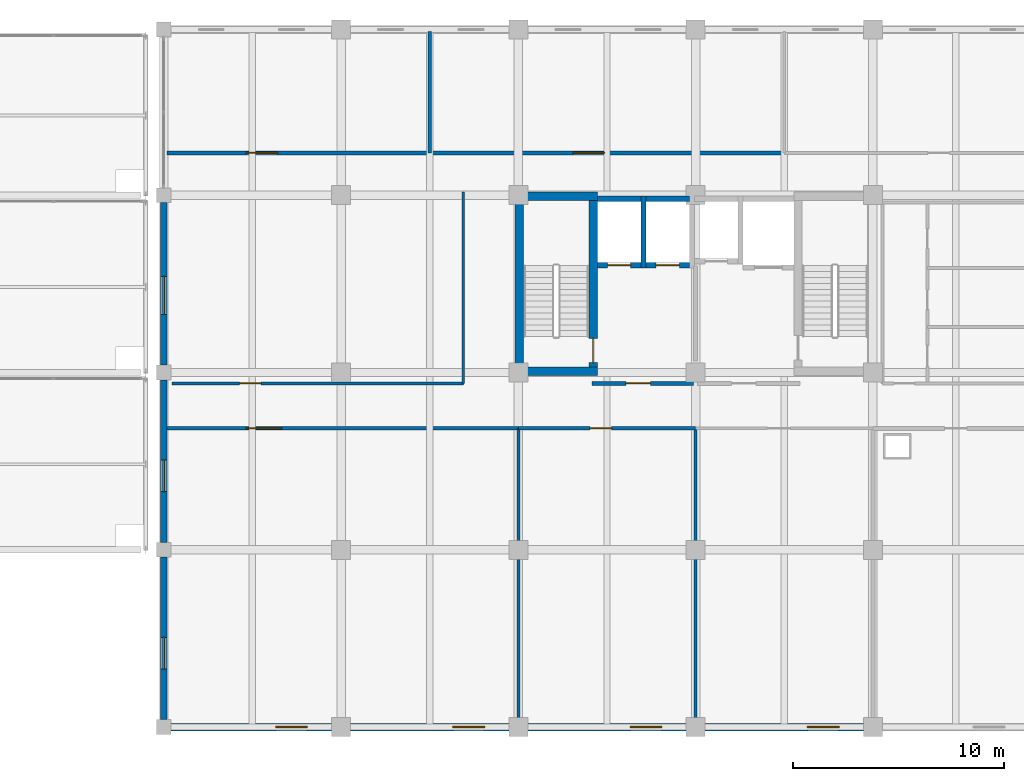
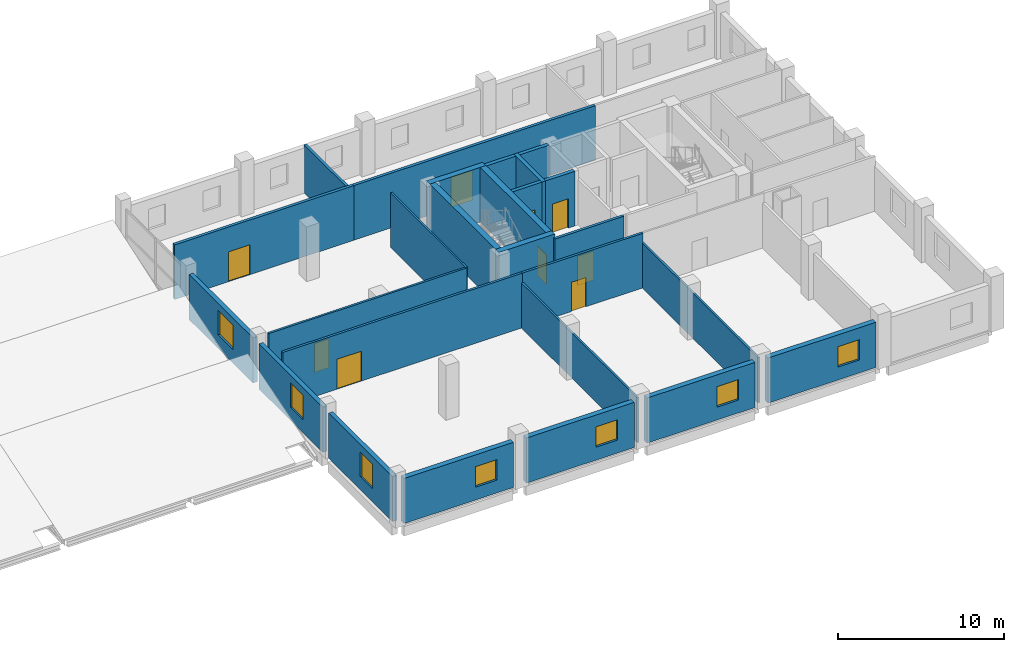
# One storey, part 37 of 40: 26 walls, 9 doors, 7 windows, 16 openings.
"""IFC4 building model written with IfcOpenShell, lengths in metres."""

from ifc_helpers import new_model, si_unit, direction, frame, frame_2d, origin, place, context, subcontext, project, spatial, rectangle, extrude, material, layer, layer_set, type_object, element, fill, save


model = new_model("IFC4")

# Units and contexts
model_context = context("Model", 3, precision=1e-05, world=origin(), true_north=direction((0.0, 1.0)))
body_context = subcontext(model_context, "Body", "Model", "MODEL_VIEW")
ifc_project = project(units=[si_unit("LENGTHUNIT", "METRE"), si_unit("AREAUNIT", "SQUARE_METRE"), si_unit("VOLUMEUNIT", "CUBIC_METRE"), si_unit("PLANEANGLEUNIT", "RADIAN"), si_unit("MASSUNIT", "GRAM", prefix="KILO")], contexts=[model_context])

# Site, building, storey
site_placement = place(None, origin())
site = spatial("IfcSite", under=ifc_project, at=site_placement, CompositionType="ELEMENT")
building_placement = place(site_placement, origin())
building = spatial("IfcBuilding", under=site, at=building_placement, Name="Brinegate Botanical Conservatory", CompositionType="ELEMENT")
storey_placement = place(building_placement, frame((0.0, 0.0, 19.199951171875)))
storey = spatial("IfcBuildingStorey", under=building, at=storey_placement, Name="L05", CompositionType="ELEMENT", Elevation=19.199951171875)

# Wall, opening, window
ifc_material_1 = material(Name="Insulated Minnan red clay brick masonry", Category="masonry")
ifc_layer_1 = layer(ifc_material_1, 0.300048828125, Name="Insulated Minnan red clay brick masonry", Category="masonry")
ifc_layer_set_1 = layer_set([ifc_layer_1], Name="Insulated Minnan red clay brick masonry")
wall_type_1 = type_object("IfcWallType", Name="Wall_EW-300B", PredefinedType="STANDARD", material=ifc_layer_set_1)
wall_1_placement = place(storey_placement, frame((122.0, 78.75, 0.0), z_axis=(0.0, 0.0, 1.0), x_axis=(0.0, 1.0, 0.0)))
wall_1 = element("IfcWall", 1, at=wall_1_placement, inside=storey, type_object=wall_type_1, Name="Tower west wall L05.S1", PredefinedType="STANDARD", context=body_context, shape_type="SweptSolid", body=[
    extrude(rectangle(XDim=7.699951171875, YDim=0.300048828125, at=frame_2d((3.85009765625, 0.0))), origin(), (0.0, 0.0, 1.0), 3.320068359375),
])
opening_1_placement = place(wall_1_placement, frame((2.39990234375, 0.0, 0.949951171875)))
opening_1 = element("IfcOpeningElement", 2, at=opening_1_placement, cuts=wall_1, Name="Opening WN-04", PredefinedType="OPENING", context=body_context, shape_type="SweptSolid", body=[
    extrude(rectangle(XDim=1.5, YDim=1.800048828125, at=frame_2d((0.75, 0.89990234375))), frame((0.0, 0.159912109375, 0.0), z_axis=(0.0, -1.0, 0.0), x_axis=(1.0, 0.0, 0.0)), (0.0, 0.0, 1.0), 0.320068359375),
])
ifc_material_2 = material(Name="Thermally broken aluminium-framed Low-E glass", Category="aluminium")
window_type_1 = type_object("IfcWindowType", Name="Win_WN-04", PartitioningType="DOUBLE_PANEL_VERTICAL", PredefinedType="WINDOW", material=ifc_material_2)
window_1_placement = place(opening_1_placement, origin())
window_1 = element("IfcWindow", 3, at=window_1_placement, inside=storey, type_object=window_type_1, Name="Tower west window L05.S1", OverallHeight=1.800048828125, OverallWidth=1.5, PartitioningType="DOUBLE_PANEL_VERTICAL", PredefinedType="WINDOW", context=body_context, shape_type="SweptSolid", body=[
    extrude(rectangle(XDim=1.5, YDim=1.800048828125, at=frame_2d((0.75, 0.89990234375))), frame((0.0, 0.030029296875, 0.0), z_axis=(0.0, -1.0, 0.0), x_axis=(1.0, 0.0, 0.0)), (0.0, 0.0, 1.0), 0.06005859375),
])
fill(opening_1, window_1)

wall_2_placement = place(storey_placement, frame((122.0, 87.14990234375, 0.0), z_axis=(0.0, 0.0, 1.0), x_axis=(0.0, 1.0, 0.0)))
wall_2 = element("IfcWall", 4, at=wall_2_placement, inside=storey, type_object=wall_type_1, Name="Tower west wall L05.S2", PredefinedType="STANDARD", context=body_context, shape_type="SweptSolid", body=[
    extrude(rectangle(XDim=7.7001953125, YDim=0.300048828125, at=frame_2d((3.85009765625, 0.0))), origin(), (0.0, 0.0, 1.0), 3.320068359375),
])
opening_2_placement = place(wall_2_placement, frame((2.39990234375, 0.0, 0.949951171875)))
opening_2 = element("IfcOpeningElement", 5, at=opening_2_placement, cuts=wall_2, Name="Opening WN-04", PredefinedType="OPENING", context=body_context, shape_type="SweptSolid", body=[
    extrude(rectangle(XDim=1.5, YDim=1.800048828125, at=frame_2d((0.75, 0.89990234375))), frame((0.0, 0.159912109375, 0.0), z_axis=(0.0, -1.0, 0.0), x_axis=(1.0, 0.0, 0.0)), (0.0, 0.0, 1.0), 0.320068359375),
])
window_2_placement = place(opening_2_placement, origin())
window_2 = element("IfcWindow", 6, at=window_2_placement, inside=storey, type_object=window_type_1, Name="Tower west window L05.S2", OverallHeight=1.800048828125, OverallWidth=1.5, PartitioningType="DOUBLE_PANEL_VERTICAL", PredefinedType="WINDOW", context=body_context, shape_type="SweptSolid", body=[
    extrude(rectangle(XDim=1.5, YDim=1.800048828125, at=frame_2d((0.75, 0.89990234375))), frame((0.0, 0.030029296875, 0.0), z_axis=(0.0, -1.0, 0.0), x_axis=(1.0, 0.0, 0.0)), (0.0, 0.0, 1.0), 0.06005859375),
])
fill(opening_2, window_2)

wall_3_placement = place(storey_placement, frame((122.0, 95.550048828125, 0.0), z_axis=(0.0, 0.0, 1.0), x_axis=(0.0, 1.0, 0.0)))
wall_3 = element("IfcWall", 7, at=wall_3_placement, inside=storey, type_object=wall_type_1, Name="Tower mid-west wall L05", PredefinedType="STANDARD", context=body_context, shape_type="SweptSolid", body=[
    extrude(rectangle(XDim=7.699951171875, YDim=0.300048828125, at=frame_2d((3.85009765625, 0.0))), origin(), (0.0, 0.0, 1.0), 3.320068359375),
])
opening_3_placement = place(wall_3_placement, frame((2.39990234375, 0.0, 1.0)))
opening_3 = element("IfcOpeningElement", 8, at=opening_3_placement, cuts=wall_3, Name="Opening WN-05", PredefinedType="OPENING", context=body_context, shape_type="SweptSolid", body=[
    extrude(rectangle(XDim=1.800048828125, YDim=1.800048828125, at=frame_2d((0.89990234375, 0.89990234375))), frame((0.0, 0.159912109375, 0.0), z_axis=(0.0, -1.0, 0.0), x_axis=(1.0, 0.0, 0.0)), (0.0, 0.0, 1.0), 0.320068359375),
])
window_type_2 = type_object("IfcWindowType", Name="Win_WN-05", PartitioningType="DOUBLE_PANEL_VERTICAL", PredefinedType="WINDOW", material=ifc_material_2)
window_3_placement = place(opening_3_placement, origin())
window_3 = element("IfcWindow", 9, at=window_3_placement, inside=storey, type_object=window_type_2, Name="Tower mid-west window L05", OverallHeight=1.800048828125, OverallWidth=1.800048828125, PartitioningType="DOUBLE_PANEL_VERTICAL", PredefinedType="WINDOW", context=body_context, shape_type="SweptSolid", body=[
    extrude(rectangle(XDim=1.800048828125, YDim=1.800048828125, at=frame_2d((0.89990234375, 0.89990234375))), frame((0.0, 0.030029296875, 0.0), z_axis=(0.0, -1.0, 0.0), x_axis=(1.0, 0.0, 0.0)), (0.0, 0.0, 1.0), 0.06005859375),
])
fill(opening_3, window_3)

ifc_layer_2 = layer(ifc_material_1, 0.360107421875, Name="Insulated Minnan red clay brick masonry", Category="masonry")
ifc_layer_set_2 = layer_set([ifc_layer_2], Name="Insulated Minnan red clay brick masonry")
wall_type_2 = type_object("IfcWallType", Name="Wall_EW-360B", PredefinedType="STANDARD", material=ifc_layer_set_2)
wall_4_placement = place(storey_placement, frame((129.949951171875, 78.39990234375, 0.0), z_axis=(0.0, 0.0, 1.0), x_axis=(-1.0, 0.0, 0.0)))
wall_4 = element("IfcWall", 10, at=wall_4_placement, inside=storey, type_object=wall_type_2, Name="Tower south facade wall L05.1", PredefinedType="STANDARD", context=body_context, shape_type="SweptSolid", body=[
    extrude(rectangle(XDim=7.599853515625, YDim=0.360107421875, at=frame_2d((3.7998046875, 0.0))), origin(), (0.0, 0.0, 1.0), 3.320068359375),
])
opening_4_placement = place(wall_4_placement, frame((1.14990234375, 0.0, 0.949951171875)))
opening_4 = element("IfcOpeningElement", 11, at=opening_4_placement, cuts=wall_4, Name="Opening WN-08", PredefinedType="OPENING", context=body_context, shape_type="SweptSolid", body=[
    extrude(rectangle(XDim=1.5, YDim=1.5, at=frame_2d((0.75, 0.75))), frame((0.0, 0.18994140625, 0.0), z_axis=(0.0, -1.0, 0.0), x_axis=(1.0, 0.0, 0.0)), (0.0, 0.0, 1.0), 0.380126953125),
])
window_type_3 = type_object("IfcWindowType", Name="Win_WN-08", PartitioningType="DOUBLE_PANEL_VERTICAL", PredefinedType="WINDOW", material=ifc_material_2)
window_4_placement = place(opening_4_placement, origin())
window_4 = element("IfcWindow", 12, at=window_4_placement, inside=storey, type_object=window_type_3, Name="Tower south window L05.1", OverallHeight=1.5, OverallWidth=1.5, PartitioningType="DOUBLE_PANEL_VERTICAL", PredefinedType="WINDOW", context=body_context, shape_type="SweptSolid", body=[
    extrude(rectangle(XDim=1.5, YDim=1.5, at=frame_2d((0.75, 0.75))), frame((0.0, 0.030029296875, 0.0), z_axis=(0.0, -1.0, 0.0), x_axis=(1.0, 0.0, 0.0)), (0.0, 0.0, 1.0), 0.06005859375),
])
fill(opening_4, window_4)

wall_5_placement = place(storey_placement, frame((138.35009765625, 78.39990234375, 0.0), z_axis=(0.0, 0.0, 1.0), x_axis=(-1.0, 0.0, 0.0)))
wall_5 = element("IfcWall", 13, at=wall_5_placement, inside=storey, type_object=wall_type_2, Name="Tower south facade wall L05.2", PredefinedType="STANDARD", context=body_context, shape_type="SweptSolid", body=[
    extrude(rectangle(XDim=7.5, YDim=0.360107421875, at=frame_2d((3.75, 0.0))), origin(), (0.0, 0.0, 1.0), 3.320068359375),
])
opening_5_placement = place(wall_5_placement, frame((1.14990234375, 0.0, 0.949951171875)))
opening_5 = element("IfcOpeningElement", 14, at=opening_5_placement, cuts=wall_5, Name="Opening WN-08", PredefinedType="OPENING", context=body_context, shape_type="SweptSolid", body=[
    extrude(rectangle(XDim=1.5, YDim=1.5, at=frame_2d((0.75, 0.75))), frame((0.0, 0.18994140625, 0.0), z_axis=(0.0, -1.0, 0.0), x_axis=(1.0, 0.0, 0.0)), (0.0, 0.0, 1.0), 0.380126953125),
])
window_5_placement = place(opening_5_placement, origin())
window_5 = element("IfcWindow", 15, at=window_5_placement, inside=storey, type_object=window_type_3, Name="Tower south window L05.2", OverallHeight=1.5, OverallWidth=1.5, PartitioningType="DOUBLE_PANEL_VERTICAL", PredefinedType="WINDOW", context=body_context, shape_type="SweptSolid", body=[
    extrude(rectangle(XDim=1.5, YDim=1.5, at=frame_2d((0.75, 0.75))), frame((0.0, 0.030029296875, 0.0), z_axis=(0.0, -1.0, 0.0), x_axis=(1.0, 0.0, 0.0)), (0.0, 0.0, 1.0), 0.06005859375),
])
fill(opening_5, window_5)

wall_6_placement = place(storey_placement, frame((146.75, 78.39990234375, 0.0), z_axis=(0.0, 0.0, 1.0), x_axis=(-1.0, 0.0, 0.0)))
wall_6 = element("IfcWall", 16, at=wall_6_placement, inside=storey, type_object=wall_type_2, Name="Tower south facade wall L05.3", PredefinedType="STANDARD", context=body_context, shape_type="SweptSolid", body=[
    extrude(rectangle(XDim=7.5, YDim=0.360107421875, at=frame_2d((3.75, 0.0))), origin(), (0.0, 0.0, 1.0), 3.320068359375),
])
opening_6_placement = place(wall_6_placement, frame((1.14990234375, 0.0, 0.949951171875)))
opening_6 = element("IfcOpeningElement", 17, at=opening_6_placement, cuts=wall_6, Name="Opening WN-08", PredefinedType="OPENING", context=body_context, shape_type="SweptSolid", body=[
    extrude(rectangle(XDim=1.5, YDim=1.5, at=frame_2d((0.75, 0.75))), frame((0.0, 0.18994140625, 0.0), z_axis=(0.0, -1.0, 0.0), x_axis=(1.0, 0.0, 0.0)), (0.0, 0.0, 1.0), 0.380126953125),
])
window_6_placement = place(opening_6_placement, origin())
window_6 = element("IfcWindow", 18, at=window_6_placement, inside=storey, type_object=window_type_3, Name="Tower south window L05.3", OverallHeight=1.5, OverallWidth=1.5, PartitioningType="DOUBLE_PANEL_VERTICAL", PredefinedType="WINDOW", context=body_context, shape_type="SweptSolid", body=[
    extrude(rectangle(XDim=1.5, YDim=1.5, at=frame_2d((0.75, 0.75))), frame((0.0, 0.030029296875, 0.0), z_axis=(0.0, -1.0, 0.0), x_axis=(1.0, 0.0, 0.0)), (0.0, 0.0, 1.0), 0.06005859375),
])
fill(opening_6, window_6)

wall_7_placement = place(storey_placement, frame((155.14990234375, 78.39990234375, 0.0), z_axis=(0.0, 0.0, 1.0), x_axis=(-1.0, 0.0, 0.0)))
wall_7 = element("IfcWall", 19, at=wall_7_placement, inside=storey, type_object=wall_type_2, Name="Tower south facade wall L05.4", PredefinedType="STANDARD", context=body_context, shape_type="SweptSolid", body=[
    extrude(rectangle(XDim=7.5, YDim=0.360107421875, at=frame_2d((3.75, 0.0))), origin(), (0.0, 0.0, 1.0), 3.320068359375),
])
opening_7_placement = place(wall_7_placement, frame((1.14990234375, 0.0, 0.949951171875)))
opening_7 = element("IfcOpeningElement", 20, at=opening_7_placement, cuts=wall_7, Name="Opening WN-08", PredefinedType="OPENING", context=body_context, shape_type="SweptSolid", body=[
    extrude(rectangle(XDim=1.5, YDim=1.5, at=frame_2d((0.75, 0.75))), frame((0.0, 0.18994140625, 0.0), z_axis=(0.0, -1.0, 0.0), x_axis=(1.0, 0.0, 0.0)), (0.0, 0.0, 1.0), 0.380126953125),
])
window_7_placement = place(opening_7_placement, origin())
window_7 = element("IfcWindow", 21, at=window_7_placement, inside=storey, type_object=window_type_3, Name="Tower south window L05.4", OverallHeight=1.5, OverallWidth=1.5, PartitioningType="DOUBLE_PANEL_VERTICAL", PredefinedType="WINDOW", context=body_context, shape_type="SweptSolid", body=[
    extrude(rectangle(XDim=1.5, YDim=1.5, at=frame_2d((0.75, 0.75))), frame((0.0, 0.030029296875, 0.0), z_axis=(0.0, -1.0, 0.0), x_axis=(1.0, 0.0, 0.0)), (0.0, 0.0, 1.0), 0.06005859375),
])
fill(opening_7, window_7)

# Walls
ifc_material_3 = material(Name="Gypsum-clad steel-stud partition", Category="steel")
ifc_layer_3 = layer(ifc_material_3, 0.1201171875, Name="Gypsum-clad steel-stud partition", Category="steel")
ifc_layer_set_3 = layer_set([ifc_layer_3], Name="Gypsum-clad steel-stud partition")
wall_type_3 = type_object("IfcWallType", Name="Wall_PW-120", PredefinedType="PARTITIONING", material=ifc_layer_set_3)
wall_8_placement = place(storey_placement, frame((136.199951171875, 94.679931640625, 0.0), z_axis=(0.0, 0.0, 1.0), x_axis=(0.0, 1.0, 0.0)))
element("IfcWall", 22, at=wall_8_placement, inside=storey, type_object=wall_type_3, Name="Interior partition P-L05-XCORR-W", PredefinedType="PARTITIONING", context=body_context, shape_type="SweptSolid", body=[
    extrude(rectangle(XDim=9.070068359375, YDim=0.1201171875, at=frame_2d((4.53515625, 0.0))), origin(), (0.0, 0.0, 1.0), 4.02001953125),
])
ifc_layer_4 = layer(ifc_material_3, 0.135009765625, Name="Gypsum-clad steel-stud partition", Category="steel")
ifc_layer_set_4 = layer_set([ifc_layer_4], Name="Gypsum-clad steel-stud partition")
wall_type_4 = type_object("IfcWallType", Name="Wall_PW-135", PredefinedType="PARTITIONING", material=ifc_layer_set_4)
for number, where, z_axis, x_axis, name in (
    (23, (138.800048828125, 78.550048828125, 0.0), (0.0, 0.0, 1.0), (0.0, 1.0, 0.0), "Interior partition P-L05-SDIV-S2"),
    (24, (147.199951171875, 78.550048828125, 0.0), (0.0, 0.0, 1.0), (0.0, 1.0, 0.0), "Interior partition P-L05-SDIV-S3"),
):
    element("IfcWall", number, at=place(storey_placement, frame(where, z_axis=z_axis, x_axis=x_axis)), inside=storey, type_object=wall_type_4, Name=name, PredefinedType="PARTITIONING", context=body_context, shape_type="SweptSolid", body=[
        extrude(rectangle(XDim=14.0, YDim=0.135009765625, at=frame_2d((7.0, 0.0))), origin(), (0.0, 0.0, 1.0), 3.320068359375),
    ])

# Wall, opening, door
ifc_material_4 = material(Name="Gypsum-clad acoustic steel-stud partition", Category="steel")
ifc_layer_5 = layer(ifc_material_4, 0.14501953125, Name="Gypsum-clad acoustic steel-stud partition", Category="steel")
ifc_layer_set_5 = layer_set([ifc_layer_5], Name="Gypsum-clad acoustic steel-stud partition")
wall_type_5 = type_object("IfcWallType", Name="Wall_PW-150", PredefinedType="PARTITIONING", material=ifc_layer_set_5)
wall_9_placement = place(storey_placement, frame((122.39990234375, 94.679931640625, 0.0), z_axis=(0.0, 0.0, 1.0), x_axis=(1.0, 0.0, 0.0)))
wall_9 = element("IfcWall", 25, at=wall_9_placement, inside=storey, type_object=wall_type_5, Name="Interior partition P-L05-MIDW-S", PredefinedType="PARTITIONING", context=body_context, shape_type="SweptSolid", body=[
    extrude(rectangle(XDim=13.800048828125, YDim=0.14501953125, at=frame_2d((6.89990234375, 0.0))), origin(), (0.0, 0.0, 1.0), 4.02001953125),
])
opening_8_placement = place(wall_9_placement, frame((3.199951171875, 0.0, 0.0)))
opening_8 = element("IfcOpeningElement", 26, at=opening_8_placement, cuts=wall_9, Name="Opening DR-02", PredefinedType="OPENING", context=body_context, shape_type="SweptSolid", body=[
    extrude(rectangle(XDim=1.02001953125, YDim=2.14990234375, at=frame_2d((0.510009765625, 1.074951171875))), frame((0.0, 0.08251953125, 0.0), z_axis=(0.0, -1.0, 0.0), x_axis=(1.0, 0.0, 0.0)), (0.0, 0.0, 1.0), 0.1650390625),
])
ifc_material_5 = material(Name="Phenolic-faced laboratory timber leaf", Category="wood")
door_type_1 = type_object("IfcDoorType", Name="Door_DR-02", OperationType="NOTDEFINED", PredefinedType="DOOR", material=ifc_material_5)
door_1_placement = place(opening_8_placement, origin())
door_1 = element("IfcDoor", 27, at=door_1_placement, inside=storey, type_object=door_type_1, Name="DR-P-L05-MIDW-S-1", OperationType="SINGLE_SWING_RIGHT", OverallHeight=2.14990234375, OverallWidth=1.02001953125, PredefinedType="DOOR", context=body_context, shape_type="SweptSolid", body=[
    extrude(rectangle(XDim=1.02001953125, YDim=2.14990234375, at=frame_2d((0.510009765625, 1.074951171875))), frame((0.0, 0.02490234375, 0.0), z_axis=(0.0, -1.0, 0.0), x_axis=(1.0, 0.0, 0.0)), (0.0, 0.0, 1.0), 0.050048828125),
])
fill(opening_8, door_1)

ifc_layer_6 = layer(ifc_material_4, 0.1650390625, Name="Gypsum-clad acoustic steel-stud partition", Category="steel")
ifc_layer_set_6 = layer_set([ifc_layer_6], Name="Gypsum-clad acoustic steel-stud partition")
wall_type_6 = type_object("IfcWallType", Name="Wall_PW-165", PredefinedType="PARTITIONING", material=ifc_layer_set_6)
wall_10_placement = place(storey_placement, frame((122.14990234375, 92.550048828125, 0.0), z_axis=(0.0, 0.0, 1.0), x_axis=(1.0, 0.0, 0.0)))
wall_10 = element("IfcWall", 28, at=wall_10_placement, inside=storey, type_object=wall_type_6, Name="Interior partition P-L05-SB-S1", PredefinedType="PARTITIONING", context=body_context, shape_type="SweptSolid", body=[
    extrude(rectangle(XDim=16.650146484375, YDim=0.1650390625, at=frame_2d((8.3251953125, 0.0))), origin(), (0.0, 0.0, 1.0), 4.02001953125),
])
opening_9_placement = place(wall_10_placement, frame((3.75, 0.0, 0.0)))
opening_9 = element("IfcOpeningElement", 29, at=opening_9_placement, cuts=wall_10, Name="Opening DR-DBL2", PredefinedType="OPENING", context=body_context, shape_type="SweptSolid", body=[
    extrude(rectangle(XDim=1.699951171875, YDim=2.199951171875, at=frame_2d((0.85009765625, 1.10009765625))), frame((0.0, 0.092529296875, 0.0), z_axis=(0.0, -1.0, 0.0), x_axis=(1.0, 0.0, 0.0)), (0.0, 0.0, 1.0), 0.18505859375),
])
ifc_material_6 = material(Name="Powder-coated steel laboratory double door", Category="steel")
door_type_2 = type_object("IfcDoorType", Name="Door_DR-DBL2", OperationType="NOTDEFINED", PredefinedType="DOOR", material=ifc_material_6)
door_2_placement = place(opening_9_placement, origin())
door_2 = element("IfcDoor", 30, at=door_2_placement, inside=storey, type_object=door_type_2, Name="DR-P-L05-SB-S1-1", OperationType="SINGLE_SWING_RIGHT", OverallHeight=2.199951171875, OverallWidth=1.699951171875, PredefinedType="DOOR", context=body_context, shape_type="SweptSolid", body=[
    extrude(rectangle(XDim=1.699951171875, YDim=2.199951171875, at=frame_2d((0.85009765625, 1.10009765625))), frame((0.0, 0.02490234375, 0.0), z_axis=(0.0, -1.0, 0.0), x_axis=(1.0, 0.0, 0.0)), (0.0, 0.0, 1.0), 0.050048828125),
])
fill(opening_9, door_2)

wall_11_placement = place(storey_placement, frame((138.800048828125, 92.550048828125, 0.0), z_axis=(0.0, 0.0, 1.0), x_axis=(1.0, 0.0, 0.0)))
wall_11 = element("IfcWall", 31, at=wall_11_placement, inside=storey, type_object=wall_type_6, Name="Interior partition P-L05-SB-S2", PredefinedType="PARTITIONING", context=body_context, shape_type="SweptSolid", body=[
    extrude(rectangle(XDim=8.39990234375, YDim=0.1650390625, at=frame_2d((4.199951171875, 0.0))), origin(), (0.0, 0.0, 1.0), 4.02001953125),
])
opening_10_placement = place(wall_11_placement, frame((3.39990234375, 0.0, 0.0)))
opening_10 = element("IfcOpeningElement", 32, at=opening_10_placement, cuts=wall_11, Name="Opening DR-02", PredefinedType="OPENING", context=body_context, shape_type="SweptSolid", body=[
    extrude(rectangle(XDim=1.02001953125, YDim=2.14990234375, at=frame_2d((0.510009765625, 1.074951171875))), frame((0.0, 0.092529296875, 0.0), z_axis=(0.0, -1.0, 0.0), x_axis=(1.0, 0.0, 0.0)), (0.0, 0.0, 1.0), 0.18505859375),
])
door_3_placement = place(opening_10_placement, origin())
door_3 = element("IfcDoor", 33, at=door_3_placement, inside=storey, type_object=door_type_1, Name="DR-P-L05-SB-S2-1", OperationType="SINGLE_SWING_LEFT", OverallHeight=2.14990234375, OverallWidth=1.02001953125, PredefinedType="DOOR", context=body_context, shape_type="SweptSolid", body=[
    extrude(rectangle(XDim=1.02001953125, YDim=2.14990234375, at=frame_2d((0.510009765625, 1.074951171875))), frame((0.0, 0.02490234375, 0.0), z_axis=(0.0, -1.0, 0.0), x_axis=(1.0, 0.0, 0.0)), (0.0, 0.0, 1.0), 0.050048828125),
])
fill(opening_10, door_3)

ifc_material_7 = material(Name="Autoclaved aerated concrete C40/50 blockwork", Category="masonry")
ifc_layer_7 = layer(ifc_material_7, 0.179931640625, Name="Autoclaved aerated concrete C40/50 blockwork", Category="masonry")
ifc_layer_set_7 = layer_set([ifc_layer_7], Name="Autoclaved aerated concrete C40/50 blockwork")
wall_type_7 = type_object("IfcWallType", Name="Wall_PW-180F", PredefinedType="STANDARD", material=ifc_layer_set_7)
wall_12_placement = place(storey_placement, frame((142.300048828125, 94.679931640625, 0.0), z_axis=(0.0, 0.0, 1.0), x_axis=(1.0, 0.0, 0.0)))
wall_12 = element("IfcWall", 34, at=wall_12_placement, inside=storey, type_object=wall_type_7, Name="Interior partition P-L05-CORE-FF", PredefinedType="STANDARD", context=body_context, shape_type="SweptSolid", body=[
    extrude(rectangle(XDim=4.800048828125, YDim=0.179931640625, at=frame_2d((2.39990234375, 0.0))), origin(), (0.0, 0.0, 1.0), 4.02001953125),
])
opening_11_placement = place(wall_12_placement, frame((1.60009765625, 0.0, 0.0)))
opening_11 = element("IfcOpeningElement", 35, at=opening_11_placement, cuts=wall_12, Name="Opening FD-B1", PredefinedType="OPENING", context=body_context, shape_type="SweptSolid", body=[
    extrude(rectangle(XDim=1.14990234375, YDim=2.14990234375, at=frame_2d((0.574951171875, 1.074951171875))), frame((0.0, 0.099853515625, 0.0), z_axis=(0.0, -1.0, 0.0), x_axis=(1.0, 0.0, 0.0)), (0.0, 0.0, 1.0), 0.199951171875),
])
ifc_material_8 = material(Name="Steel smoke-proof fire door assembly", Category="steel")
door_type_3 = type_object("IfcDoorType", Name="Door_FD-B1", OperationType="NOTDEFINED", PredefinedType="DOOR", material=ifc_material_8)
door_4_placement = place(opening_11_placement, origin())
door_4 = element("IfcDoor", 36, at=door_4_placement, inside=storey, type_object=door_type_3, Name="DR-P-L05-CORE-FF-1", OperationType="SINGLE_SWING_LEFT", OverallHeight=2.14990234375, OverallWidth=1.14990234375, PredefinedType="DOOR", context=body_context, shape_type="SweptSolid", body=[
    extrude(rectangle(XDim=1.14990234375, YDim=2.14990234375, at=frame_2d((0.574951171875, 1.074951171875))), frame((0.0, 0.02490234375, 0.0), z_axis=(0.0, -1.0, 0.0), x_axis=(1.0, 0.0, 0.0)), (0.0, 0.0, 1.0), 0.050048828125),
])
fill(opening_11, door_4)

# Wall
wall_13_placement = place(storey_placement, frame((134.60009765625, 105.60009765625, 0.0), z_axis=(0.0, 0.0, 1.0), x_axis=(0.0, 1.0, 0.0)))
element("IfcWall", 37, at=wall_13_placement, inside=storey, type_object=wall_type_7, Name="Interior partition P-L05-NDIV-N2", PredefinedType="STANDARD", context=body_context, shape_type="SweptSolid", body=[
    extrude(rectangle(XDim=5.75, YDim=0.179931640625, at=frame_2d((2.875, 0.0))), origin(), (0.0, 0.0, 1.0), 3.52001953125),
])

# Wall, opening, door
ifc_layer_8 = layer(ifc_material_7, 0.199951171875, Name="Autoclaved aerated concrete C40/50 blockwork", Category="masonry")
ifc_layer_set_8 = layer_set([ifc_layer_8], Name="Autoclaved aerated concrete C40/50 blockwork")
wall_type_8 = type_object("IfcWallType", Name="Wall_PW-200F", PredefinedType="SOLIDWALL", material=ifc_layer_set_8)
wall_14_placement = place(storey_placement, frame((122.14990234375, 105.60009765625, 0.0), z_axis=(0.0, 0.0, 1.0), x_axis=(1.0, 0.0, 0.0)))
wall_14 = element("IfcWall", 38, at=wall_14_placement, inside=storey, type_object=wall_type_8, Name="Interior partition P-L05-NB-N1", PredefinedType="SOLIDWALL", context=body_context, shape_type="SweptSolid", body=[
    extrude(rectangle(XDim=12.4501953125, YDim=0.199951171875, at=frame_2d((6.22509765625, 0.0))), origin(), (0.0, 0.0, 1.0), 4.02001953125),
])
opening_12_placement = place(wall_14_placement, frame((3.75, 0.0, 0.0)))
opening_12 = element("IfcOpeningElement", 39, at=opening_12_placement, cuts=wall_14, Name="Opening FD-A2", PredefinedType="OPENING", context=body_context, shape_type="SweptSolid", body=[
    extrude(rectangle(XDim=1.5, YDim=2.199951171875, at=frame_2d((0.75, 1.10009765625))), frame((0.0, 0.10986328125, 0.0), z_axis=(0.0, -1.0, 0.0), x_axis=(1.0, 0.0, 0.0)), (0.0, 0.0, 1.0), 0.219970703125),
])
ifc_material_9 = material(Name="Steel fire-rated double-leaf assembly", Category="steel")
door_type_4 = type_object("IfcDoorType", Name="Door_FD-A2", OperationType="NOTDEFINED", PredefinedType="DOOR", material=ifc_material_9)
door_5_placement = place(opening_12_placement, origin())
door_5 = element("IfcDoor", 40, at=door_5_placement, inside=storey, type_object=door_type_4, Name="DR-P-L05-NB-N1-1", OperationType="SINGLE_SWING_LEFT", OverallHeight=2.199951171875, OverallWidth=1.5, PredefinedType="DOOR", context=body_context, shape_type="SweptSolid", body=[
    extrude(rectangle(XDim=1.5, YDim=2.199951171875, at=frame_2d((0.75, 1.10009765625))), frame((0.0, 0.02490234375, 0.0), z_axis=(0.0, -1.0, 0.0), x_axis=(1.0, 0.0, 0.0)), (0.0, 0.0, 1.0), 0.050048828125),
])
fill(opening_12, door_5)

wall_15_placement = place(storey_placement, frame((134.60009765625, 105.60009765625, 0.0), z_axis=(0.0, 0.0, 1.0), x_axis=(1.0, 0.0, 0.0)))
wall_15 = element("IfcWall", 41, at=wall_15_placement, inside=storey, type_object=wall_type_8, Name="Interior partition P-L05-NB-N2", PredefinedType="SOLIDWALL", context=body_context, shape_type="SweptSolid", body=[
    extrude(rectangle(XDim=16.7998046875, YDim=0.199951171875, at=frame_2d((8.39990234375, 0.0))), origin(), (0.0, 0.0, 1.0), 4.02001953125),
])
opening_13_placement = place(wall_15_placement, frame((6.800048828125, 0.0, 0.0)))
opening_13 = element("IfcOpeningElement", 42, at=opening_13_placement, cuts=wall_15, Name="Opening FD-A2", PredefinedType="OPENING", context=body_context, shape_type="SweptSolid", body=[
    extrude(rectangle(XDim=1.5, YDim=2.199951171875, at=frame_2d((0.75, 1.10009765625))), frame((0.0, 0.10986328125, 0.0), z_axis=(0.0, -1.0, 0.0), x_axis=(1.0, 0.0, 0.0)), (0.0, 0.0, 1.0), 0.219970703125),
])
door_6_placement = place(opening_13_placement, origin())
door_6 = element("IfcDoor", 43, at=door_6_placement, inside=storey, type_object=door_type_4, Name="DR-P-L05-NB-N2-1", OperationType="SINGLE_SWING_RIGHT", OverallHeight=2.199951171875, OverallWidth=1.5, PredefinedType="DOOR", context=body_context, shape_type="SweptSolid", body=[
    extrude(rectangle(XDim=1.5, YDim=2.199951171875, at=frame_2d((0.75, 1.10009765625))), frame((0.0, 0.02490234375, 0.0), z_axis=(0.0, -1.0, 0.0), x_axis=(1.0, 0.0, 0.0)), (0.0, 0.0, 1.0), 0.050048828125),
])
fill(opening_13, door_6)

ifc_material_10 = material(Name="Concrete C40/50", Category="concrete")
ifc_layer_9 = layer(ifc_material_10, 0.25, Name="Concrete C40/50", Category="concrete")
ifc_layer_set_9 = layer_set([ifc_layer_9], Name="Concrete C40/50")
wall_type_9 = type_object("IfcWallType", Name="Wall_SW-250", PredefinedType="SHEAR", material=ifc_layer_set_9)
wall_16_placement = place(storey_placement, frame((142.550048828125, 100.27490234375, 0.0), z_axis=(0.0, 0.0, 1.0), x_axis=(1.0, 0.0, 0.0)))
wall_16 = element("IfcWall", 44, at=wall_16_placement, inside=storey, type_object=wall_type_9, Name="Lift shaft LF1 shear wall L05 S", PredefinedType="SHEAR", context=body_context, shape_type="SweptSolid", body=[
    extrude(rectangle(XDim=2.050048828125, YDim=0.25, at=frame_2d((1.02490234375, 0.0))), origin(), (0.0, 0.0, 1.0), 4.02001953125),
])
opening_14_placement = place(wall_16_placement, frame((0.47509765625, 0.0, 0.0)))
opening_14 = element("IfcOpeningElement", 45, at=opening_14_placement, cuts=wall_16, Name="Opening LD-01", PredefinedType="OPENING", context=body_context, shape_type="SweptSolid", body=[
    extrude(rectangle(XDim=1.10009765625, YDim=2.14990234375, at=frame_2d((0.550048828125, 1.074951171875))), frame((0.0, 0.135009765625, 0.0), z_axis=(0.0, -1.0, 0.0), x_axis=(1.0, 0.0, 0.0)), (0.0, 0.0, 1.0), 0.27001953125),
])
ifc_material_11 = material(Name="Brushed stainless steel S355 landing door", Category="steel")
door_type_5 = type_object("IfcDoorType", Name="Door_LD-01", OperationType="SLIDING_TO_LEFT", PredefinedType="DOOR", material=ifc_material_11)
door_7_placement = place(opening_14_placement, origin())
door_7 = element("IfcDoor", 46, at=door_7_placement, inside=storey, type_object=door_type_5, Name="LD-LF1-L05", OperationType="SLIDING_TO_LEFT", OverallHeight=2.14990234375, OverallWidth=1.10009765625, PredefinedType="DOOR", context=body_context, shape_type="SweptSolid", body=[
    extrude(rectangle(XDim=1.10009765625, YDim=2.14990234375, at=frame_2d((0.550048828125, 1.074951171875))), frame((0.0, 0.02490234375, 0.0), z_axis=(0.0, -1.0, 0.0), x_axis=(1.0, 0.0, 0.0)), (0.0, 0.0, 1.0), 0.050048828125),
])
fill(opening_14, door_7)

# Walls
wall_17_placement = place(storey_placement, frame((142.550048828125, 103.425048828125, 0.0), z_axis=(0.0, 0.0, 1.0), x_axis=(1.0, 0.0, 0.0)))
element("IfcWall", 47, at=wall_17_placement, inside=storey, type_object=wall_type_9, Name="Lift shaft LF1 shear wall L05 N", PredefinedType="SHEAR", context=body_context, shape_type="SweptSolid", body=[
    extrude(rectangle(XDim=2.050048828125, YDim=0.25, at=frame_2d((1.02490234375, 0.0))), origin(), (0.0, 0.0, 1.0), 4.02001953125),
])
wall_18_placement = place(storey_placement, frame((144.72509765625, 100.14990234375, 0.0), z_axis=(0.0, 0.0, 1.0), x_axis=(0.0, 1.0, 0.0)))
element("IfcWall", 48, at=wall_18_placement, inside=storey, type_object=wall_type_9, Name="Lift shaft LF1 shear wall L05 E", PredefinedType="SHEAR", context=body_context, shape_type="SweptSolid", body=[
    extrude(rectangle(XDim=3.400146484375, YDim=0.25, at=frame_2d((1.7001953125, 0.0))), origin(), (0.0, 0.0, 1.0), 4.02001953125),
])

# Wall, opening, door
wall_19_placement = place(storey_placement, frame((144.85009765625, 100.27490234375, 0.0), z_axis=(0.0, 0.0, 1.0), x_axis=(1.0, 0.0, 0.0)))
wall_19 = element("IfcWall", 49, at=wall_19_placement, inside=storey, type_object=wall_type_9, Name="Lift shaft LF2 shear wall L05 S", PredefinedType="SHEAR", context=body_context, shape_type="SweptSolid", body=[
    extrude(rectangle(XDim=2.0498046875, YDim=0.25, at=frame_2d((1.02490234375, 0.0))), origin(), (0.0, 0.0, 1.0), 4.02001953125),
])
opening_15_placement = place(wall_19_placement, frame((0.465087890625, 0.0, 0.0)))
opening_15 = element("IfcOpeningElement", 50, at=opening_15_placement, cuts=wall_19, Name="Opening LD-02", PredefinedType="OPENING", context=body_context, shape_type="SweptSolid", body=[
    extrude(rectangle(XDim=1.1201171875, YDim=2.14990234375, at=frame_2d((0.56005859375, 1.074951171875))), frame((0.0, 0.135009765625, 0.0), z_axis=(0.0, -1.0, 0.0), x_axis=(1.0, 0.0, 0.0)), (0.0, 0.0, 1.0), 0.27001953125),
])
door_type_6 = type_object("IfcDoorType", Name="Door_LD-02", OperationType="SLIDING_TO_LEFT", PredefinedType="DOOR", material=ifc_material_11)
door_8_placement = place(opening_15_placement, origin())
door_8 = element("IfcDoor", 51, at=door_8_placement, inside=storey, type_object=door_type_6, Name="LD-LF2-L05", OperationType="SLIDING_TO_LEFT", OverallHeight=2.14990234375, OverallWidth=1.1201171875, PredefinedType="DOOR", context=body_context, shape_type="SweptSolid", body=[
    extrude(rectangle(XDim=1.1201171875, YDim=2.14990234375, at=frame_2d((0.56005859375, 1.074951171875))), frame((0.0, 0.02490234375, 0.0), z_axis=(0.0, -1.0, 0.0), x_axis=(1.0, 0.0, 0.0)), (0.0, 0.0, 1.0), 0.050048828125),
])
fill(opening_15, door_8)

# Walls
wall_20_placement = place(storey_placement, frame((144.85009765625, 103.425048828125, 0.0), z_axis=(0.0, 0.0, 1.0), x_axis=(1.0, 0.0, 0.0)))
element("IfcWall", 52, at=wall_20_placement, inside=storey, type_object=wall_type_9, Name="Lift shaft LF2 shear wall L05 N", PredefinedType="SHEAR", context=body_context, shape_type="SweptSolid", body=[
    extrude(rectangle(XDim=2.0498046875, YDim=0.25, at=frame_2d((1.02490234375, 0.0))), origin(), (0.0, 0.0, 1.0), 4.02001953125),
])
ifc_material_12 = material(Name="Concrete C50/60", Category="concrete")
ifc_layer_10 = layer(ifc_material_12, 0.39990234375, Name="Concrete C50/60", Category="concrete")
ifc_layer_set_10 = layer_set([ifc_layer_10], Name="Concrete C50/60")
wall_type_10 = type_object("IfcWallType", Name="Wall_SW-400", PredefinedType="SHEAR", material=ifc_layer_set_10)
for number, where, z_axis, x_axis, name in (
    (53, (138.64990234375, 95.25, 0.0), (0.0, 0.0, 1.0), (1.0, 0.0, 0.0), "Stairwell ST1 shear wall L05 S"),
    (54, (138.64990234375, 103.550048828125, 0.0), (0.0, 0.0, 1.0), (1.0, 0.0, 0.0), "Stairwell ST1 shear wall L05 N"),
):
    element("IfcWall", number, at=place(storey_placement, frame(where, z_axis=z_axis, x_axis=x_axis)), inside=storey, type_object=wall_type_10, Name=name, PredefinedType="SHEAR", context=body_context, shape_type="SweptSolid", body=[
        extrude(rectangle(XDim=3.900146484375, YDim=0.39990234375, at=frame_2d((1.9501953125, 0.0))), origin(), (0.0, 0.0, 1.0), 4.02001953125),
    ])
wall_21_placement = place(storey_placement, frame((138.85009765625, 95.449951171875, 0.0), z_axis=(0.0, 0.0, 1.0), x_axis=(0.0, 1.0, 0.0)))
element("IfcWall", 55, at=wall_21_placement, inside=storey, type_object=wall_type_10, Name="Stairwell ST1 shear wall L05 W", PredefinedType="SHEAR", context=body_context, shape_type="SweptSolid", body=[
    extrude(rectangle(XDim=7.900146484375, YDim=0.39990234375, at=frame_2d((3.9501953125, 0.0))), origin(), (0.0, 0.0, 1.0), 4.02001953125),
])

# Wall, opening, door
wall_22_placement = place(storey_placement, frame((142.35009765625, 95.449951171875, 0.0), z_axis=(0.0, 0.0, 1.0), x_axis=(0.0, 1.0, 0.0)))
wall_22 = element("IfcWall", 56, at=wall_22_placement, inside=storey, type_object=wall_type_10, Name="Stairwell ST1 shear wall L05 E", PredefinedType="SHEAR", context=body_context, shape_type="SweptSolid", body=[
    extrude(rectangle(XDim=7.900146484375, YDim=0.39990234375, at=frame_2d((3.9501953125, 0.0))), origin(), (0.0, 0.0, 1.0), 4.02001953125),
])
opening_16_placement = place(wall_22_placement, frame((0.219970703125, 0.0, 0.0)))
opening_16 = element("IfcOpeningElement", 57, at=opening_16_placement, cuts=wall_22, Name="Opening FD-B1", PredefinedType="OPENING", context=body_context, shape_type="SweptSolid", body=[
    extrude(rectangle(XDim=1.14990234375, YDim=2.14990234375, at=frame_2d((0.574951171875, 1.074951171875))), frame((0.0, 0.2099609375, 0.0), z_axis=(0.0, -1.0, 0.0), x_axis=(1.0, 0.0, 0.0)), (0.0, 0.0, 1.0), 0.419921875),
])
door_9_placement = place(opening_16_placement, origin())
door_9 = element("IfcDoor", 58, at=door_9_placement, inside=storey, type_object=door_type_3, Name="DR-ST-ST1-L05", OperationType="SINGLE_SWING_LEFT", OverallHeight=2.14990234375, OverallWidth=1.14990234375, PredefinedType="DOOR", context=body_context, shape_type="SweptSolid", body=[
    extrude(rectangle(XDim=1.14990234375, YDim=2.14990234375, at=frame_2d((0.574951171875, 1.074951171875))), frame((0.0, 0.02490234375, 0.0), z_axis=(0.0, -1.0, 0.0), x_axis=(1.0, 0.0, 0.0)), (0.0, 0.0, 1.0), 0.050048828125),
])
fill(opening_16, door_9)

save(model, "model.ifc")
